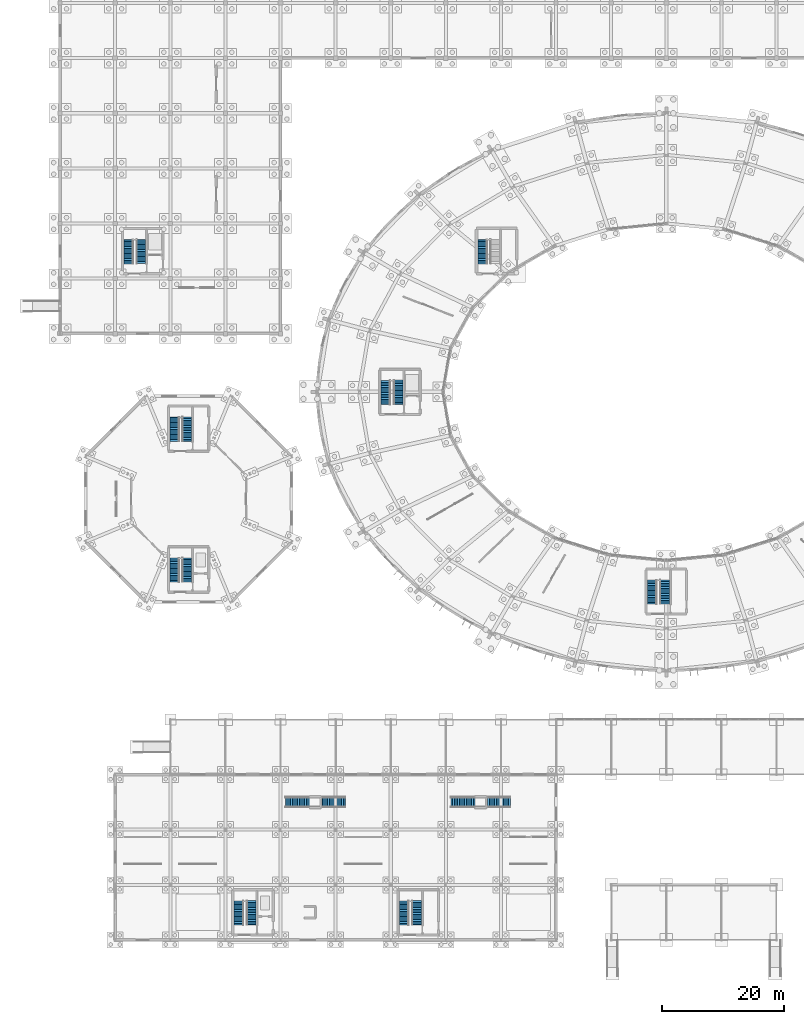
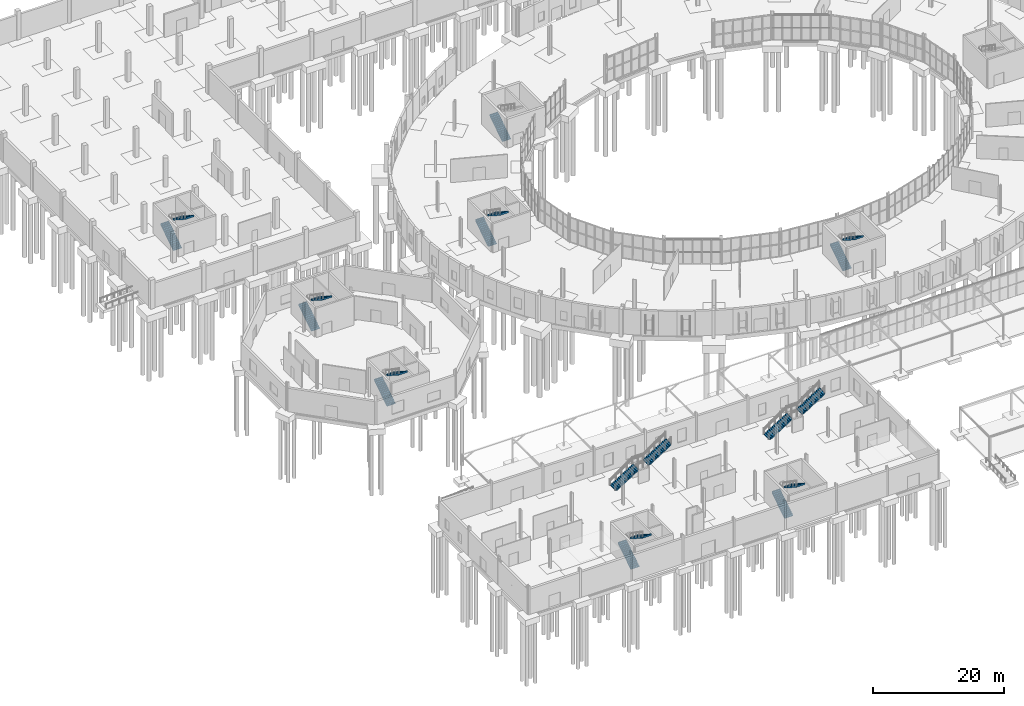
# One storey, part 102 of 118: 19 stair flights, 10 elements without a shape of their own.
"""IFC4 building model written with IfcOpenShell, lengths in metres."""

from ifc_helpers import new_model, si_unit, direction, frame, origin, place, context, subcontext, project, spatial, polyline, outline, extrude, material, type_object, element, aggregate, save


model = new_model("IFC4")

# Units and contexts
model_context = context("Model", 3, precision=1e-05, world=origin(), true_north=direction((0.0, 1.0)))
body_context = subcontext(model_context, "Body", "Model", "MODEL_VIEW")
ifc_project = project(units=[si_unit("LENGTHUNIT", "METRE"), si_unit("AREAUNIT", "SQUARE_METRE"), si_unit("VOLUMEUNIT", "CUBIC_METRE"), si_unit("PLANEANGLEUNIT", "RADIAN"), si_unit("MASSUNIT", "GRAM", prefix="KILO")], contexts=[model_context])

# Site, building, storey
site_placement = place(None, origin())
site = spatial("IfcSite", under=ifc_project, at=site_placement, CompositionType="ELEMENT")
building_placement = place(site_placement, origin())
building = spatial("IfcBuilding", under=site, at=building_placement, Name="Kildeholm Park Wholesale Market", CompositionType="ELEMENT")
storey_placement = place(building_placement, origin())
storey = spatial("IfcBuildingStorey", under=building, at=storey_placement, Name="L00", CompositionType="ELEMENT", Elevation=0.0)

# Stair, stair flights
ifc_material_1 = material(Name="Concrete C35/45", Category="concrete")
stair_type_1 = type_object("IfcStairType", Name="Protected core escape stair ST-CR1", PredefinedType="HALF_TURN_STAIR", material=ifc_material_1)
stair_1_placement = place(storey_placement, origin())
stair_1 = element("IfcStair", 1, at=stair_1_placement, inside=storey, type_object=stair_type_1, Name="Escape stair C01 L00 STR-0001", PredefinedType="HALF_TURN_STAIR")
stair_flight_type_1 = type_object("IfcStairFlightType", Name="Reinforced-concrete stair flight SF-01", PredefinedType="STRAIGHT", material=ifc_material_1)
stair_flight_1_placement = place(storey_placement, frame((11.159912109375, 110.419921875, 0.0), z_axis=(0.0, 0.0, 1.0), x_axis=(0.0, 1.0, 0.0)))
stair_flight_1 = element("IfcStairFlight", 2, at=stair_flight_1_placement, type_object=stair_flight_type_1, Name="ST-01-00 flight 1 FLT-0001", NumberOfRisers=15, NumberOfTreads=14, PredefinedType="STRAIGHT", RiserHeight=0.18, TreadLength=0.28, context=body_context, shape_type="SweptSolid", body=[
    extrude(outline(polyline([(0.0, 0.0), (0.0, 0.179931640625), (0.280029296875, 0.179931640625), (0.280029296875, 0.360107421875), (0.56005859375, 0.360107421875), (0.56005859375, 0.5400390625), (0.840087890625, 0.5400390625), (0.840087890625, 0.719970703125), (1.1201171875, 0.719970703125), (1.1201171875, 0.89990234375), (1.39990234375, 0.89990234375), (1.39990234375, 1.080078125), (1.679931640625, 1.080078125), (1.679931640625, 1.260009765625), (1.9599609375, 1.260009765625), (1.9599609375, 1.43994140625), (2.239990234375, 1.43994140625), (2.239990234375, 1.6201171875), (2.52001953125, 1.6201171875), (2.52001953125, 1.800048828125), (2.800048828125, 1.800048828125), (2.800048828125, 1.97998046875), (3.080078125, 1.97998046875), (3.080078125, 2.159912109375), (3.360107421875, 2.159912109375), (3.360107421875, 2.340087890625), (3.639892578125, 2.340087890625), (3.639892578125, 2.52001953125), (3.919921875, 2.52001953125), (3.919921875, 2.699951171875), (3.969970703125, 2.699951171875), (3.969970703125, 2.5400390625), (3.919921875, 2.329833984375), (0.295654296875, 0.0), (0.0, 0.0)])), frame((0.0, 0.739990234375, 0.0), z_axis=(0.0, -1.0, 0.0), x_axis=(1.0, 0.0, 0.0)), (0.0, 0.0, 1.0), 1.47998046875),
])
stair_flight_2_placement = place(storey_placement, frame((13.25, 114.39990234375, 2.699951171875), z_axis=(0.0, 0.0, 1.0), x_axis=(0.0, -1.0, 0.0)))
stair_flight_2 = element("IfcStairFlight", 3, at=stair_flight_2_placement, type_object=stair_flight_type_1, Name="ST-01-00 flight 2 FLT-0002", NumberOfRisers=15, NumberOfTreads=14, PredefinedType="STRAIGHT", RiserHeight=0.18, TreadLength=0.28, context=body_context, shape_type="SweptSolid", body=[
    extrude(outline(polyline([(0.0, 0.0), (0.0, 0.179931640625), (0.280029296875, 0.179931640625), (0.280029296875, 0.360107421875), (0.56005859375, 0.360107421875), (0.56005859375, 0.5400390625), (0.840087890625, 0.5400390625), (0.840087890625, 0.719970703125), (1.1201171875, 0.719970703125), (1.1201171875, 0.89990234375), (1.39990234375, 0.89990234375), (1.39990234375, 1.080078125), (1.679931640625, 1.080078125), (1.679931640625, 1.260009765625), (1.9599609375, 1.260009765625), (1.9599609375, 1.43994140625), (2.239990234375, 1.43994140625), (2.239990234375, 1.6201171875), (2.52001953125, 1.6201171875), (2.52001953125, 1.800048828125), (2.800048828125, 1.800048828125), (2.800048828125, 1.97998046875), (3.080078125, 1.97998046875), (3.080078125, 2.159912109375), (3.360107421875, 2.159912109375), (3.360107421875, 2.340087890625), (3.639892578125, 2.340087890625), (3.639892578125, 2.52001953125), (3.919921875, 2.52001953125), (3.919921875, 2.699951171875), (3.969970703125, 2.699951171875), (3.969970703125, 2.5400390625), (3.919921875, 2.329833984375), (0.295654296875, 0.0), (0.0, 0.0)])), frame((0.0, 0.739990234375, 0.0), z_axis=(0.0, -1.0, 0.0), x_axis=(1.0, 0.0, 0.0)), (0.0, 0.0, 1.0), 1.47998046875),
])
aggregate(stair_1, [stair_flight_1, stair_flight_2])

stair_2_placement = place(storey_placement, origin())
stair_2 = element("IfcStair", 4, at=stair_2_placement, inside=storey, type_object=stair_type_1, Name="Escape stair C04 L00 STR-0008", PredefinedType="HALF_TURN_STAIR")
stair_flight_3_placement = place(storey_placement, frame((29.159912109375, 2.419921875, 0.0), z_axis=(0.0, 0.0, 1.0), x_axis=(0.0, 1.0, 0.0)))
stair_flight_3 = element("IfcStairFlight", 5, at=stair_flight_3_placement, type_object=stair_flight_type_1, Name="ST-04-00 flight 1 FLT-0015", NumberOfRisers=15, NumberOfTreads=14, PredefinedType="STRAIGHT", RiserHeight=0.18, TreadLength=0.28, context=body_context, shape_type="SweptSolid", body=[
    extrude(outline(polyline([(0.0, 0.0), (0.0, 0.179931640625), (0.280029296875, 0.179931640625), (0.280029296875, 0.360107421875), (0.56005859375, 0.360107421875), (0.56005859375, 0.5400390625), (0.840087890625, 0.5400390625), (0.840087890625, 0.719970703125), (1.1201171875, 0.719970703125), (1.1201171875, 0.89990234375), (1.39990234375, 0.89990234375), (1.39990234375, 1.080078125), (1.679931640625, 1.080078125), (1.679931640625, 1.260009765625), (1.9599609375, 1.260009765625), (1.9599609375, 1.43994140625), (2.239990234375, 1.43994140625), (2.239990234375, 1.6201171875), (2.52001953125, 1.6201171875), (2.52001953125, 1.800048828125), (2.800048828125, 1.800048828125), (2.800048828125, 1.97998046875), (3.080078125, 1.97998046875), (3.080078125, 2.159912109375), (3.360107421875, 2.159912109375), (3.360107421875, 2.340087890625), (3.639892578125, 2.340087890625), (3.639892578125, 2.52001953125), (3.919921875, 2.52001953125), (3.919921875, 2.699951171875), (3.969970703125, 2.699951171875), (3.969970703125, 2.5400390625), (3.919921875, 2.329833984375), (0.295654296875, 0.0), (0.0, 0.0)])), frame((0.0, 0.739990234375, 0.0), z_axis=(0.0, -1.0, 0.0), x_axis=(1.0, 0.0, 0.0)), (0.0, 0.0, 1.0), 1.47998046875),
])
stair_flight_4_placement = place(storey_placement, frame((31.25, 6.39990234375, 2.699951171875), z_axis=(0.0, 0.0, 1.0), x_axis=(0.0, -1.0, 0.0)))
stair_flight_4 = element("IfcStairFlight", 6, at=stair_flight_4_placement, type_object=stair_flight_type_1, Name="ST-04-00 flight 2 FLT-0016", NumberOfRisers=15, NumberOfTreads=14, PredefinedType="STRAIGHT", RiserHeight=0.18, TreadLength=0.28, context=body_context, shape_type="SweptSolid", body=[
    extrude(outline(polyline([(0.0, 0.0), (0.0, 0.179931640625), (0.280029296875, 0.179931640625), (0.280029296875, 0.360107421875), (0.56005859375, 0.360107421875), (0.56005859375, 0.5400390625), (0.840087890625, 0.5400390625), (0.840087890625, 0.719970703125), (1.1201171875, 0.719970703125), (1.1201171875, 0.89990234375), (1.39990234375, 0.89990234375), (1.39990234375, 1.080078125), (1.679931640625, 1.080078125), (1.679931640625, 1.260009765625), (1.9599609375, 1.260009765625), (1.9599609375, 1.43994140625), (2.239990234375, 1.43994140625), (2.239990234375, 1.6201171875), (2.52001953125, 1.6201171875), (2.52001953125, 1.800048828125), (2.800048828125, 1.800048828125), (2.800048828125, 1.97998046875), (3.080078125, 1.97998046875), (3.080078125, 2.159912109375), (3.360107421875, 2.159912109375), (3.360107421875, 2.340087890625), (3.639892578125, 2.340087890625), (3.639892578125, 2.52001953125), (3.919921875, 2.52001953125), (3.919921875, 2.699951171875), (3.969970703125, 2.699951171875), (3.969970703125, 2.5400390625), (3.919921875, 2.329833984375), (0.295654296875, 0.0), (0.0, 0.0)])), frame((0.0, 0.739990234375, 0.0), z_axis=(0.0, -1.0, 0.0), x_axis=(1.0, 0.0, 0.0)), (0.0, 0.0, 1.0), 1.47998046875),
])
aggregate(stair_2, [stair_flight_3, stair_flight_4])

stair_3_placement = place(storey_placement, origin())
stair_3 = element("IfcStair", 7, at=stair_3_placement, inside=storey, type_object=stair_type_1, Name="Escape stair C05 L00 STR-0011", PredefinedType="HALF_TURN_STAIR")
stair_flight_5_placement = place(storey_placement, frame((56.159912109375, 2.419921875, 0.0), z_axis=(0.0, 0.0, 1.0), x_axis=(0.0, 1.0, 0.0)))
stair_flight_5 = element("IfcStairFlight", 8, at=stair_flight_5_placement, type_object=stair_flight_type_1, Name="ST-05-00 flight 1 FLT-0021", NumberOfRisers=15, NumberOfTreads=14, PredefinedType="STRAIGHT", RiserHeight=0.18, TreadLength=0.28, context=body_context, shape_type="SweptSolid", body=[
    extrude(outline(polyline([(0.0, 0.0), (0.0, 0.179931640625), (0.280029296875, 0.179931640625), (0.280029296875, 0.360107421875), (0.56005859375, 0.360107421875), (0.56005859375, 0.5400390625), (0.840087890625, 0.5400390625), (0.840087890625, 0.719970703125), (1.1201171875, 0.719970703125), (1.1201171875, 0.89990234375), (1.39990234375, 0.89990234375), (1.39990234375, 1.080078125), (1.679931640625, 1.080078125), (1.679931640625, 1.260009765625), (1.9599609375, 1.260009765625), (1.9599609375, 1.43994140625), (2.239990234375, 1.43994140625), (2.239990234375, 1.6201171875), (2.52001953125, 1.6201171875), (2.52001953125, 1.800048828125), (2.800048828125, 1.800048828125), (2.800048828125, 1.97998046875), (3.080078125, 1.97998046875), (3.080078125, 2.159912109375), (3.360107421875, 2.159912109375), (3.360107421875, 2.340087890625), (3.639892578125, 2.340087890625), (3.639892578125, 2.52001953125), (3.919921875, 2.52001953125), (3.919921875, 2.699951171875), (3.969970703125, 2.699951171875), (3.969970703125, 2.5400390625), (3.919921875, 2.329833984375), (0.295654296875, 0.0), (0.0, 0.0)])), frame((0.0, 0.739990234375, 0.0), z_axis=(0.0, -1.0, 0.0), x_axis=(1.0, 0.0, 0.0)), (0.0, 0.0, 1.0), 1.47998046875),
])
stair_flight_6_placement = place(storey_placement, frame((58.25, 6.39990234375, 2.699951171875), z_axis=(0.0, 0.0, 1.0), x_axis=(0.0, -1.0, 0.0)))
stair_flight_6 = element("IfcStairFlight", 9, at=stair_flight_6_placement, type_object=stair_flight_type_1, Name="ST-05-00 flight 2 FLT-0022", NumberOfRisers=15, NumberOfTreads=14, PredefinedType="STRAIGHT", RiserHeight=0.18, TreadLength=0.28, context=body_context, shape_type="SweptSolid", body=[
    extrude(outline(polyline([(0.0, 0.0), (0.0, 0.179931640625), (0.280029296875, 0.179931640625), (0.280029296875, 0.360107421875), (0.56005859375, 0.360107421875), (0.56005859375, 0.5400390625), (0.840087890625, 0.5400390625), (0.840087890625, 0.719970703125), (1.1201171875, 0.719970703125), (1.1201171875, 0.89990234375), (1.39990234375, 0.89990234375), (1.39990234375, 1.080078125), (1.679931640625, 1.080078125), (1.679931640625, 1.260009765625), (1.9599609375, 1.260009765625), (1.9599609375, 1.43994140625), (2.239990234375, 1.43994140625), (2.239990234375, 1.6201171875), (2.52001953125, 1.6201171875), (2.52001953125, 1.800048828125), (2.800048828125, 1.800048828125), (2.800048828125, 1.97998046875), (3.080078125, 1.97998046875), (3.080078125, 2.159912109375), (3.360107421875, 2.159912109375), (3.360107421875, 2.340087890625), (3.639892578125, 2.340087890625), (3.639892578125, 2.52001953125), (3.919921875, 2.52001953125), (3.919921875, 2.699951171875), (3.969970703125, 2.699951171875), (3.969970703125, 2.5400390625), (3.919921875, 2.329833984375), (0.295654296875, 0.0), (0.0, 0.0)])), frame((0.0, 0.739990234375, 0.0), z_axis=(0.0, -1.0, 0.0), x_axis=(1.0, 0.0, 0.0)), (0.0, 0.0, 1.0), 1.47998046875),
])
aggregate(stair_3, [stair_flight_5, stair_flight_6])

stair_4_placement = place(storey_placement, origin())
stair_4 = element("IfcStair", 10, at=stair_4_placement, inside=storey, type_object=stair_type_1, Name="Escape stair C09 L00 STR-0022", PredefinedType="HALF_TURN_STAIR")
stair_flight_7_placement = place(storey_placement, frame((53.159912109375, 87.419921875, 0.0), z_axis=(0.0, 0.0, 1.0), x_axis=(0.0, 1.0, 0.0)))
stair_flight_7 = element("IfcStairFlight", 11, at=stair_flight_7_placement, type_object=stair_flight_type_1, Name="ST-09-00 flight 1 FLT-0043", NumberOfRisers=15, NumberOfTreads=14, PredefinedType="STRAIGHT", RiserHeight=0.18, TreadLength=0.28, context=body_context, shape_type="SweptSolid", body=[
    extrude(outline(polyline([(0.0, 0.0), (0.0, 0.179931640625), (0.280029296875, 0.179931640625), (0.280029296875, 0.360107421875), (0.56005859375, 0.360107421875), (0.56005859375, 0.5400390625), (0.840087890625, 0.5400390625), (0.840087890625, 0.719970703125), (1.1201171875, 0.719970703125), (1.1201171875, 0.89990234375), (1.39990234375, 0.89990234375), (1.39990234375, 1.080078125), (1.679931640625, 1.080078125), (1.679931640625, 1.260009765625), (1.9599609375, 1.260009765625), (1.9599609375, 1.43994140625), (2.239990234375, 1.43994140625), (2.239990234375, 1.6201171875), (2.52001953125, 1.6201171875), (2.52001953125, 1.800048828125), (2.800048828125, 1.800048828125), (2.800048828125, 1.97998046875), (3.080078125, 1.97998046875), (3.080078125, 2.159912109375), (3.360107421875, 2.159912109375), (3.360107421875, 2.340087890625), (3.639892578125, 2.340087890625), (3.639892578125, 2.52001953125), (3.919921875, 2.52001953125), (3.919921875, 2.699951171875), (3.969970703125, 2.699951171875), (3.969970703125, 2.5400390625), (3.919921875, 2.329833984375), (0.295654296875, 0.0), (0.0, 0.0)])), frame((0.0, 0.739990234375, 0.0), z_axis=(0.0, -1.0, 0.0), x_axis=(1.0, 0.0, 0.0)), (0.0, 0.0, 1.0), 1.47998046875),
])
stair_flight_8_placement = place(storey_placement, frame((55.25, 91.39990234375, 2.699951171875), z_axis=(0.0, 0.0, 1.0), x_axis=(0.0, -1.0, 0.0)))
stair_flight_8 = element("IfcStairFlight", 12, at=stair_flight_8_placement, type_object=stair_flight_type_1, Name="ST-09-00 flight 2 FLT-0044", NumberOfRisers=15, NumberOfTreads=14, PredefinedType="STRAIGHT", RiserHeight=0.18, TreadLength=0.28, context=body_context, shape_type="SweptSolid", body=[
    extrude(outline(polyline([(0.0, 0.0), (0.0, 0.179931640625), (0.280029296875, 0.179931640625), (0.280029296875, 0.360107421875), (0.56005859375, 0.360107421875), (0.56005859375, 0.5400390625), (0.840087890625, 0.5400390625), (0.840087890625, 0.719970703125), (1.1201171875, 0.719970703125), (1.1201171875, 0.89990234375), (1.39990234375, 0.89990234375), (1.39990234375, 1.080078125), (1.679931640625, 1.080078125), (1.679931640625, 1.260009765625), (1.9599609375, 1.260009765625), (1.9599609375, 1.43994140625), (2.239990234375, 1.43994140625), (2.239990234375, 1.6201171875), (2.52001953125, 1.6201171875), (2.52001953125, 1.800048828125), (2.800048828125, 1.800048828125), (2.800048828125, 1.97998046875), (3.080078125, 1.97998046875), (3.080078125, 2.159912109375), (3.360107421875, 2.159912109375), (3.360107421875, 2.340087890625), (3.639892578125, 2.340087890625), (3.639892578125, 2.52001953125), (3.919921875, 2.52001953125), (3.919921875, 2.699951171875), (3.969970703125, 2.699951171875), (3.969970703125, 2.5400390625), (3.919921875, 2.329833984375), (0.295654296875, 0.0), (0.0, 0.0)])), frame((0.0, 0.739990234375, 0.0), z_axis=(0.0, -1.0, 0.0), x_axis=(1.0, 0.0, 0.0)), (0.0, 0.0, 1.0), 1.47998046875),
])
aggregate(stair_4, [stair_flight_7, stair_flight_8])

stair_5_placement = place(storey_placement, origin())
stair_5 = element("IfcStair", 13, at=stair_5_placement, inside=storey, type_object=stair_type_1, Name="Escape stair C10 L00 STR-0024", PredefinedType="HALF_TURN_STAIR")
stair_flight_9_placement = place(storey_placement, frame((96.659912109375, 54.820068359375, 0.0), z_axis=(0.0, 0.0, 1.0), x_axis=(0.0, 1.0, 0.0)))
stair_flight_9 = element("IfcStairFlight", 14, at=stair_flight_9_placement, type_object=stair_flight_type_1, Name="ST-10-00 flight 1 FLT-0047", NumberOfRisers=15, NumberOfTreads=14, PredefinedType="STRAIGHT", RiserHeight=0.18, TreadLength=0.28, context=body_context, shape_type="SweptSolid", body=[
    extrude(outline(polyline([(0.0, 0.0), (0.0, 0.179931640625), (0.280029296875, 0.179931640625), (0.280029296875, 0.360107421875), (0.56005859375, 0.360107421875), (0.56005859375, 0.5400390625), (0.840087890625, 0.5400390625), (0.840087890625, 0.719970703125), (1.1201171875, 0.719970703125), (1.1201171875, 0.89990234375), (1.39990234375, 0.89990234375), (1.39990234375, 1.080078125), (1.679931640625, 1.080078125), (1.679931640625, 1.260009765625), (1.9599609375, 1.260009765625), (1.9599609375, 1.43994140625), (2.239990234375, 1.43994140625), (2.239990234375, 1.6201171875), (2.52001953125, 1.6201171875), (2.52001953125, 1.800048828125), (2.800048828125, 1.800048828125), (2.800048828125, 1.97998046875), (3.080078125, 1.97998046875), (3.080078125, 2.159912109375), (3.360107421875, 2.159912109375), (3.360107421875, 2.340087890625), (3.639892578125, 2.340087890625), (3.639892578125, 2.52001953125), (3.919921875, 2.52001953125), (3.919921875, 2.699951171875), (3.969970703125, 2.699951171875), (3.969970703125, 2.5400390625), (3.919921875, 2.329833984375), (0.295654296875, 0.0), (0.0, 0.0)])), frame((0.0, 0.739990234375, 0.0), z_axis=(0.0, -1.0, 0.0), x_axis=(1.0, 0.0, 0.0)), (0.0, 0.0, 1.0), 1.47998046875),
])
stair_flight_10_placement = place(storey_placement, frame((98.75, 58.800048828125, 2.699951171875), z_axis=(0.0, 0.0, 1.0), x_axis=(0.0, -1.0, 0.0)))
stair_flight_10 = element("IfcStairFlight", 15, at=stair_flight_10_placement, type_object=stair_flight_type_1, Name="ST-10-00 flight 2 FLT-0048", NumberOfRisers=15, NumberOfTreads=14, PredefinedType="STRAIGHT", RiserHeight=0.18, TreadLength=0.28, context=body_context, shape_type="SweptSolid", body=[
    extrude(outline(polyline([(0.0, 0.0), (0.0, 0.179931640625), (0.280029296875, 0.179931640625), (0.280029296875, 0.360107421875), (0.56005859375, 0.360107421875), (0.56005859375, 0.5400390625), (0.840087890625, 0.5400390625), (0.840087890625, 0.719970703125), (1.1201171875, 0.719970703125), (1.1201171875, 0.89990234375), (1.39990234375, 0.89990234375), (1.39990234375, 1.080078125), (1.679931640625, 1.080078125), (1.679931640625, 1.260009765625), (1.9599609375, 1.260009765625), (1.9599609375, 1.43994140625), (2.239990234375, 1.43994140625), (2.239990234375, 1.6201171875), (2.52001953125, 1.6201171875), (2.52001953125, 1.800048828125), (2.800048828125, 1.800048828125), (2.800048828125, 1.97998046875), (3.080078125, 1.97998046875), (3.080078125, 2.159912109375), (3.360107421875, 2.159912109375), (3.360107421875, 2.340087890625), (3.639892578125, 2.340087890625), (3.639892578125, 2.52001953125), (3.919921875, 2.52001953125), (3.919921875, 2.699951171875), (3.969970703125, 2.699951171875), (3.969970703125, 2.5400390625), (3.919921875, 2.329833984375), (0.295654296875, 0.0), (0.0, 0.0)])), frame((0.0, 0.739990234375, 0.0), z_axis=(0.0, -1.0, 0.0), x_axis=(1.0, 0.0, 0.0)), (0.0, 0.0, 1.0), 1.47998046875),
])
aggregate(stair_5, [stair_flight_9, stair_flight_10])

# Stair, stair flight
stair_6_placement = place(storey_placement, origin())
stair_6 = element("IfcStair", 16, at=stair_6_placement, inside=storey, type_object=stair_type_1, Name="Escape stair C11 L00 STR-0026", PredefinedType="HALF_TURN_STAIR")
stair_flight_11_placement = place(storey_placement, frame((68.9599609375, 110.419921875, 0.0), z_axis=(0.0, 0.0, 1.0), x_axis=(0.0, 1.0, 0.0)))
stair_flight_11 = element("IfcStairFlight", 17, at=stair_flight_11_placement, type_object=stair_flight_type_1, Name="ST-11-00 flight 1 FLT-0051", NumberOfRisers=15, NumberOfTreads=14, PredefinedType="STRAIGHT", RiserHeight=0.18, TreadLength=0.28, context=body_context, shape_type="SweptSolid", body=[
    extrude(outline(polyline([(0.0, 0.0), (0.0, 0.179931640625), (0.280029296875, 0.179931640625), (0.280029296875, 0.360107421875), (0.56005859375, 0.360107421875), (0.56005859375, 0.5400390625), (0.840087890625, 0.5400390625), (0.840087890625, 0.719970703125), (1.1201171875, 0.719970703125), (1.1201171875, 0.89990234375), (1.39990234375, 0.89990234375), (1.39990234375, 1.080078125), (1.679931640625, 1.080078125), (1.679931640625, 1.260009765625), (1.9599609375, 1.260009765625), (1.9599609375, 1.43994140625), (2.239990234375, 1.43994140625), (2.239990234375, 1.6201171875), (2.52001953125, 1.6201171875), (2.52001953125, 1.800048828125), (2.800048828125, 1.800048828125), (2.800048828125, 1.97998046875), (3.080078125, 1.97998046875), (3.080078125, 2.159912109375), (3.360107421875, 2.159912109375), (3.360107421875, 2.340087890625), (3.639892578125, 2.340087890625), (3.639892578125, 2.52001953125), (3.919921875, 2.52001953125), (3.919921875, 2.699951171875), (3.969970703125, 2.699951171875), (3.969970703125, 2.5400390625), (3.919921875, 2.329833984375), (0.295654296875, 0.0), (0.0, 0.0)])), frame((0.0, 0.739990234375, 0.0), z_axis=(0.0, -1.0, 0.0), x_axis=(1.0, 0.0, 0.0)), (0.0, 0.0, 1.0), 1.47998046875),
])
aggregate(stair_6, [stair_flight_11])

# Stair, stair flights
stair_7_placement = place(storey_placement, origin())
stair_7 = element("IfcStair", 18, at=stair_7_placement, inside=storey, type_object=stair_type_1, Name="Escape stair C14 L00 STR-0032", PredefinedType="HALF_TURN_STAIR")
stair_flight_12_placement = place(storey_placement, frame((18.659912109375, 58.419921875, 0.0), z_axis=(0.0, 0.0, 1.0), x_axis=(0.0, 1.0, 0.0)))
stair_flight_12 = element("IfcStairFlight", 19, at=stair_flight_12_placement, type_object=stair_flight_type_1, Name="ST-14-00 flight 1 FLT-0063", NumberOfRisers=15, NumberOfTreads=14, PredefinedType="STRAIGHT", RiserHeight=0.18, TreadLength=0.28, context=body_context, shape_type="SweptSolid", body=[
    extrude(outline(polyline([(0.0, 0.0), (0.0, 0.179931640625), (0.280029296875, 0.179931640625), (0.280029296875, 0.360107421875), (0.56005859375, 0.360107421875), (0.56005859375, 0.5400390625), (0.840087890625, 0.5400390625), (0.840087890625, 0.719970703125), (1.1201171875, 0.719970703125), (1.1201171875, 0.89990234375), (1.39990234375, 0.89990234375), (1.39990234375, 1.080078125), (1.679931640625, 1.080078125), (1.679931640625, 1.260009765625), (1.9599609375, 1.260009765625), (1.9599609375, 1.43994140625), (2.239990234375, 1.43994140625), (2.239990234375, 1.6201171875), (2.52001953125, 1.6201171875), (2.52001953125, 1.800048828125), (2.800048828125, 1.800048828125), (2.800048828125, 1.97998046875), (3.080078125, 1.97998046875), (3.080078125, 2.159912109375), (3.360107421875, 2.159912109375), (3.360107421875, 2.340087890625), (3.639892578125, 2.340087890625), (3.639892578125, 2.52001953125), (3.919921875, 2.52001953125), (3.919921875, 2.699951171875), (3.969970703125, 2.699951171875), (3.969970703125, 2.5400390625), (3.919921875, 2.329833984375), (0.295654296875, 0.0), (0.0, 0.0)])), frame((0.0, 0.739990234375, 0.0), z_axis=(0.0, -1.0, 0.0), x_axis=(1.0, 0.0, 0.0)), (0.0, 0.0, 1.0), 1.47998046875),
])
stair_flight_13_placement = place(storey_placement, frame((20.75, 62.39990234375, 2.699951171875), z_axis=(0.0, 0.0, 1.0), x_axis=(0.0, -1.0, 0.0)))
stair_flight_13 = element("IfcStairFlight", 20, at=stair_flight_13_placement, type_object=stair_flight_type_1, Name="ST-14-00 flight 2 FLT-0064", NumberOfRisers=15, NumberOfTreads=14, PredefinedType="STRAIGHT", RiserHeight=0.18, TreadLength=0.28, context=body_context, shape_type="SweptSolid", body=[
    extrude(outline(polyline([(0.0, 0.0), (0.0, 0.179931640625), (0.280029296875, 0.179931640625), (0.280029296875, 0.360107421875), (0.56005859375, 0.360107421875), (0.56005859375, 0.5400390625), (0.840087890625, 0.5400390625), (0.840087890625, 0.719970703125), (1.1201171875, 0.719970703125), (1.1201171875, 0.89990234375), (1.39990234375, 0.89990234375), (1.39990234375, 1.080078125), (1.679931640625, 1.080078125), (1.679931640625, 1.260009765625), (1.9599609375, 1.260009765625), (1.9599609375, 1.43994140625), (2.239990234375, 1.43994140625), (2.239990234375, 1.6201171875), (2.52001953125, 1.6201171875), (2.52001953125, 1.800048828125), (2.800048828125, 1.800048828125), (2.800048828125, 1.97998046875), (3.080078125, 1.97998046875), (3.080078125, 2.159912109375), (3.360107421875, 2.159912109375), (3.360107421875, 2.340087890625), (3.639892578125, 2.340087890625), (3.639892578125, 2.52001953125), (3.919921875, 2.52001953125), (3.919921875, 2.699951171875), (3.969970703125, 2.699951171875), (3.969970703125, 2.5400390625), (3.919921875, 2.329833984375), (0.295654296875, 0.0), (0.0, 0.0)])), frame((0.0, 0.739990234375, 0.0), z_axis=(0.0, -1.0, 0.0), x_axis=(1.0, 0.0, 0.0)), (0.0, 0.0, 1.0), 1.47998046875),
])
aggregate(stair_7, [stair_flight_12, stair_flight_13])

stair_8_placement = place(storey_placement, origin())
stair_8 = element("IfcStair", 21, at=stair_8_placement, inside=storey, type_object=stair_type_1, Name="Escape stair C15 L00 STR-0033", PredefinedType="HALF_TURN_STAIR")
stair_flight_14_placement = place(storey_placement, frame((18.659912109375, 81.419921875, 0.0), z_axis=(0.0, 0.0, 1.0), x_axis=(0.0, 1.0, 0.0)))
stair_flight_14 = element("IfcStairFlight", 22, at=stair_flight_14_placement, type_object=stair_flight_type_1, Name="ST-15-00 flight 1 FLT-0065", NumberOfRisers=15, NumberOfTreads=14, PredefinedType="STRAIGHT", RiserHeight=0.18, TreadLength=0.28, context=body_context, shape_type="SweptSolid", body=[
    extrude(outline(polyline([(0.0, 0.0), (0.0, 0.179931640625), (0.280029296875, 0.179931640625), (0.280029296875, 0.360107421875), (0.56005859375, 0.360107421875), (0.56005859375, 0.5400390625), (0.840087890625, 0.5400390625), (0.840087890625, 0.719970703125), (1.1201171875, 0.719970703125), (1.1201171875, 0.89990234375), (1.39990234375, 0.89990234375), (1.39990234375, 1.080078125), (1.679931640625, 1.080078125), (1.679931640625, 1.260009765625), (1.9599609375, 1.260009765625), (1.9599609375, 1.43994140625), (2.239990234375, 1.43994140625), (2.239990234375, 1.6201171875), (2.52001953125, 1.6201171875), (2.52001953125, 1.800048828125), (2.800048828125, 1.800048828125), (2.800048828125, 1.97998046875), (3.080078125, 1.97998046875), (3.080078125, 2.159912109375), (3.360107421875, 2.159912109375), (3.360107421875, 2.340087890625), (3.639892578125, 2.340087890625), (3.639892578125, 2.52001953125), (3.919921875, 2.52001953125), (3.919921875, 2.699951171875), (3.969970703125, 2.699951171875), (3.969970703125, 2.5400390625), (3.919921875, 2.329833984375), (0.295654296875, 0.0), (0.0, 0.0)])), frame((0.0, 0.739990234375, 0.0), z_axis=(0.0, -1.0, 0.0), x_axis=(1.0, 0.0, 0.0)), (0.0, 0.0, 1.0), 1.47998046875),
])
stair_flight_15_placement = place(storey_placement, frame((20.75, 85.39990234375, 2.699951171875), z_axis=(0.0, 0.0, 1.0), x_axis=(0.0, -1.0, 0.0)))
stair_flight_15 = element("IfcStairFlight", 23, at=stair_flight_15_placement, type_object=stair_flight_type_1, Name="ST-15-00 flight 2 FLT-0066", NumberOfRisers=15, NumberOfTreads=14, PredefinedType="STRAIGHT", RiserHeight=0.18, TreadLength=0.28, context=body_context, shape_type="SweptSolid", body=[
    extrude(outline(polyline([(0.0, 0.0), (0.0, 0.179931640625), (0.280029296875, 0.179931640625), (0.280029296875, 0.360107421875), (0.56005859375, 0.360107421875), (0.56005859375, 0.5400390625), (0.840087890625, 0.5400390625), (0.840087890625, 0.719970703125), (1.1201171875, 0.719970703125), (1.1201171875, 0.89990234375), (1.39990234375, 0.89990234375), (1.39990234375, 1.080078125), (1.679931640625, 1.080078125), (1.679931640625, 1.260009765625), (1.9599609375, 1.260009765625), (1.9599609375, 1.43994140625), (2.239990234375, 1.43994140625), (2.239990234375, 1.6201171875), (2.52001953125, 1.6201171875), (2.52001953125, 1.800048828125), (2.800048828125, 1.800048828125), (2.800048828125, 1.97998046875), (3.080078125, 1.97998046875), (3.080078125, 2.159912109375), (3.360107421875, 2.159912109375), (3.360107421875, 2.340087890625), (3.639892578125, 2.340087890625), (3.639892578125, 2.52001953125), (3.919921875, 2.52001953125), (3.919921875, 2.699951171875), (3.969970703125, 2.699951171875), (3.969970703125, 2.5400390625), (3.919921875, 2.329833984375), (0.295654296875, 0.0), (0.0, 0.0)])), frame((0.0, 0.739990234375, 0.0), z_axis=(0.0, -1.0, 0.0), x_axis=(1.0, 0.0, 0.0)), (0.0, 0.0, 1.0), 1.47998046875),
])
aggregate(stair_8, [stair_flight_14, stair_flight_15])

ifc_material_2 = material(Name="Steel S355", Category="steel")
stair_type_2 = type_object("IfcStairType", Name="Buyers concourse feature straight stair ST-FT1", PredefinedType="STRAIGHT_RUN_STAIR", material=ifc_material_2)
stair_9_placement = place(storey_placement, origin())
stair_9 = element("IfcStair", 24, at=stair_9_placement, inside=storey, type_object=stair_type_2, Name="Buyers concourse feature stair ST-FT01 STR-0034", PredefinedType="STRAIGHT_RUN_STAIR")
stair_flight_type_2 = type_object("IfcStairFlightType", Name="Steel feature stair flight SF-02", PredefinedType="STRAIGHT", material=ifc_material_2)
stair_flight_16_placement = place(storey_placement, frame((36.800048828125, 22.5, 0.0), z_axis=(0.0, 0.0, 1.0), x_axis=(1.0, 0.0, 0.0)))
stair_flight_16 = element("IfcStairFlight", 25, at=stair_flight_16_placement, type_object=stair_flight_type_2, Name="ST-FT01 flight 1 FLT-0067", NumberOfRisers=15, NumberOfTreads=14, PredefinedType="STRAIGHT", RiserHeight=0.18, TreadLength=0.285, context=body_context, shape_type="SweptSolid", body=[
    extrude(outline(polyline([(0.0, 0.0), (0.0, 0.179931640625), (0.284912109375, 0.179931640625), (0.284912109375, 0.360107421875), (0.570068359375, 0.360107421875), (0.570068359375, 0.5400390625), (0.85498046875, 0.5400390625), (0.85498046875, 0.719970703125), (1.139892578125, 0.719970703125), (1.139892578125, 0.89990234375), (1.425048828125, 0.89990234375), (1.425048828125, 1.080078125), (1.7099609375, 1.080078125), (1.7099609375, 1.260009765625), (1.9951171875, 1.260009765625), (1.9951171875, 1.43994140625), (2.280029296875, 1.43994140625), (2.280029296875, 1.6201171875), (2.56494140625, 1.6201171875), (2.56494140625, 1.800048828125), (2.85009765625, 1.800048828125), (2.85009765625, 1.97998046875), (3.135009765625, 1.97998046875), (3.135009765625, 2.159912109375), (3.419921875, 2.159912109375), (3.419921875, 2.340087890625), (3.705078125, 2.340087890625), (3.705078125, 2.52001953125), (3.989990234375, 2.52001953125), (3.989990234375, 2.699951171875), (4.0400390625, 2.699951171875), (4.0400390625, 2.530029296875), (3.989990234375, 2.319091796875), (0.318115234375, 0.0), (0.0, 0.0)])), frame((0.0, 0.824951171875, 0.0), z_axis=(0.0, -1.0, 0.0), x_axis=(1.0, 0.0, 0.0)), (0.0, 0.0, 1.0), 1.64990234375),
])
stair_flight_17_placement = place(storey_placement, frame((42.5400390625, 22.5, 2.699951171875), z_axis=(0.0, 0.0, 1.0), x_axis=(1.0, 0.0, 0.0)))
stair_flight_17 = element("IfcStairFlight", 26, at=stair_flight_17_placement, type_object=stair_flight_type_2, Name="ST-FT01 flight 2 FLT-0068", NumberOfRisers=15, NumberOfTreads=14, PredefinedType="STRAIGHT", RiserHeight=0.18, TreadLength=0.285, context=body_context, shape_type="SweptSolid", body=[
    extrude(outline(polyline([(0.0, 0.0), (0.0, 0.179931640625), (0.284912109375, 0.179931640625), (0.284912109375, 0.360107421875), (0.570068359375, 0.360107421875), (0.570068359375, 0.5400390625), (0.85498046875, 0.5400390625), (0.85498046875, 0.719970703125), (1.139892578125, 0.719970703125), (1.139892578125, 0.89990234375), (1.425048828125, 0.89990234375), (1.425048828125, 1.080078125), (1.7099609375, 1.080078125), (1.7099609375, 1.260009765625), (1.9951171875, 1.260009765625), (1.9951171875, 1.43994140625), (2.280029296875, 1.43994140625), (2.280029296875, 1.6201171875), (2.56494140625, 1.6201171875), (2.56494140625, 1.800048828125), (2.85009765625, 1.800048828125), (2.85009765625, 1.97998046875), (3.135009765625, 1.97998046875), (3.135009765625, 2.159912109375), (3.419921875, 2.159912109375), (3.419921875, 2.340087890625), (3.705078125, 2.340087890625), (3.705078125, 2.52001953125), (3.989990234375, 2.52001953125), (3.989990234375, 2.699951171875), (4.0400390625, 2.699951171875), (4.0400390625, 2.530029296875), (3.989990234375, 2.319091796875), (0.318115234375, 0.0), (0.0, 0.0)])), frame((0.0, 0.824951171875, 0.0), z_axis=(0.0, -1.0, 0.0), x_axis=(1.0, 0.0, 0.0)), (0.0, 0.0, 1.0), 1.64990234375),
])
aggregate(stair_9, [stair_flight_16, stair_flight_17])

stair_10_placement = place(storey_placement, origin())
stair_10 = element("IfcStair", 27, at=stair_10_placement, inside=storey, type_object=stair_type_2, Name="Buyers concourse feature stair ST-FT03 STR-0036", PredefinedType="STRAIGHT_RUN_STAIR")
stair_flight_18_placement = place(storey_placement, frame((63.800048828125, 22.5, 0.0), z_axis=(0.0, 0.0, 1.0), x_axis=(1.0, 0.0, 0.0)))
stair_flight_18 = element("IfcStairFlight", 28, at=stair_flight_18_placement, type_object=stair_flight_type_2, Name="ST-FT03 flight 1 FLT-0071", NumberOfRisers=15, NumberOfTreads=14, PredefinedType="STRAIGHT", RiserHeight=0.18, TreadLength=0.285, context=body_context, shape_type="SweptSolid", body=[
    extrude(outline(polyline([(0.0, 0.0), (0.0, 0.179931640625), (0.284912109375, 0.179931640625), (0.284912109375, 0.360107421875), (0.570068359375, 0.360107421875), (0.570068359375, 0.5400390625), (0.85498046875, 0.5400390625), (0.85498046875, 0.719970703125), (1.139892578125, 0.719970703125), (1.139892578125, 0.89990234375), (1.425048828125, 0.89990234375), (1.425048828125, 1.080078125), (1.7099609375, 1.080078125), (1.7099609375, 1.260009765625), (1.9951171875, 1.260009765625), (1.9951171875, 1.43994140625), (2.280029296875, 1.43994140625), (2.280029296875, 1.6201171875), (2.56494140625, 1.6201171875), (2.56494140625, 1.800048828125), (2.85009765625, 1.800048828125), (2.85009765625, 1.97998046875), (3.135009765625, 1.97998046875), (3.135009765625, 2.159912109375), (3.419921875, 2.159912109375), (3.419921875, 2.340087890625), (3.705078125, 2.340087890625), (3.705078125, 2.52001953125), (3.989990234375, 2.52001953125), (3.989990234375, 2.699951171875), (4.0400390625, 2.699951171875), (4.0400390625, 2.530029296875), (3.989990234375, 2.319091796875), (0.318115234375, 0.0), (0.0, 0.0)])), frame((0.0, 0.824951171875, 0.0), z_axis=(0.0, -1.0, 0.0), x_axis=(1.0, 0.0, 0.0)), (0.0, 0.0, 1.0), 1.64990234375),
])
stair_flight_19_placement = place(storey_placement, frame((69.5400390625, 22.5, 2.699951171875), z_axis=(0.0, 0.0, 1.0), x_axis=(1.0, 0.0, 0.0)))
stair_flight_19 = element("IfcStairFlight", 29, at=stair_flight_19_placement, type_object=stair_flight_type_2, Name="ST-FT03 flight 2 FLT-0072", NumberOfRisers=15, NumberOfTreads=14, PredefinedType="STRAIGHT", RiserHeight=0.18, TreadLength=0.285, context=body_context, shape_type="SweptSolid", body=[
    extrude(outline(polyline([(0.0, 0.0), (0.0, 0.179931640625), (0.284912109375, 0.179931640625), (0.284912109375, 0.360107421875), (0.570068359375, 0.360107421875), (0.570068359375, 0.5400390625), (0.85498046875, 0.5400390625), (0.85498046875, 0.719970703125), (1.139892578125, 0.719970703125), (1.139892578125, 0.89990234375), (1.425048828125, 0.89990234375), (1.425048828125, 1.080078125), (1.7099609375, 1.080078125), (1.7099609375, 1.260009765625), (1.9951171875, 1.260009765625), (1.9951171875, 1.43994140625), (2.280029296875, 1.43994140625), (2.280029296875, 1.6201171875), (2.56494140625, 1.6201171875), (2.56494140625, 1.800048828125), (2.85009765625, 1.800048828125), (2.85009765625, 1.97998046875), (3.135009765625, 1.97998046875), (3.135009765625, 2.159912109375), (3.419921875, 2.159912109375), (3.419921875, 2.340087890625), (3.705078125, 2.340087890625), (3.705078125, 2.52001953125), (3.989990234375, 2.52001953125), (3.989990234375, 2.699951171875), (4.0400390625, 2.699951171875), (4.0400390625, 2.530029296875), (3.989990234375, 2.319091796875), (0.318115234375, 0.0), (0.0, 0.0)])), frame((0.0, 0.824951171875, 0.0), z_axis=(0.0, -1.0, 0.0), x_axis=(1.0, 0.0, 0.0)), (0.0, 0.0, 1.0), 1.64990234375),
])
aggregate(stair_10, [stair_flight_18, stair_flight_19])

save(model, "model.ifc")
